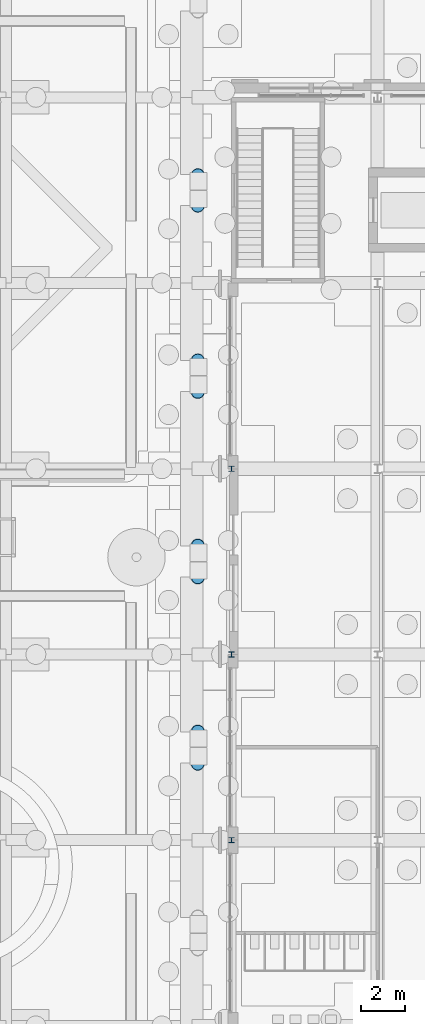
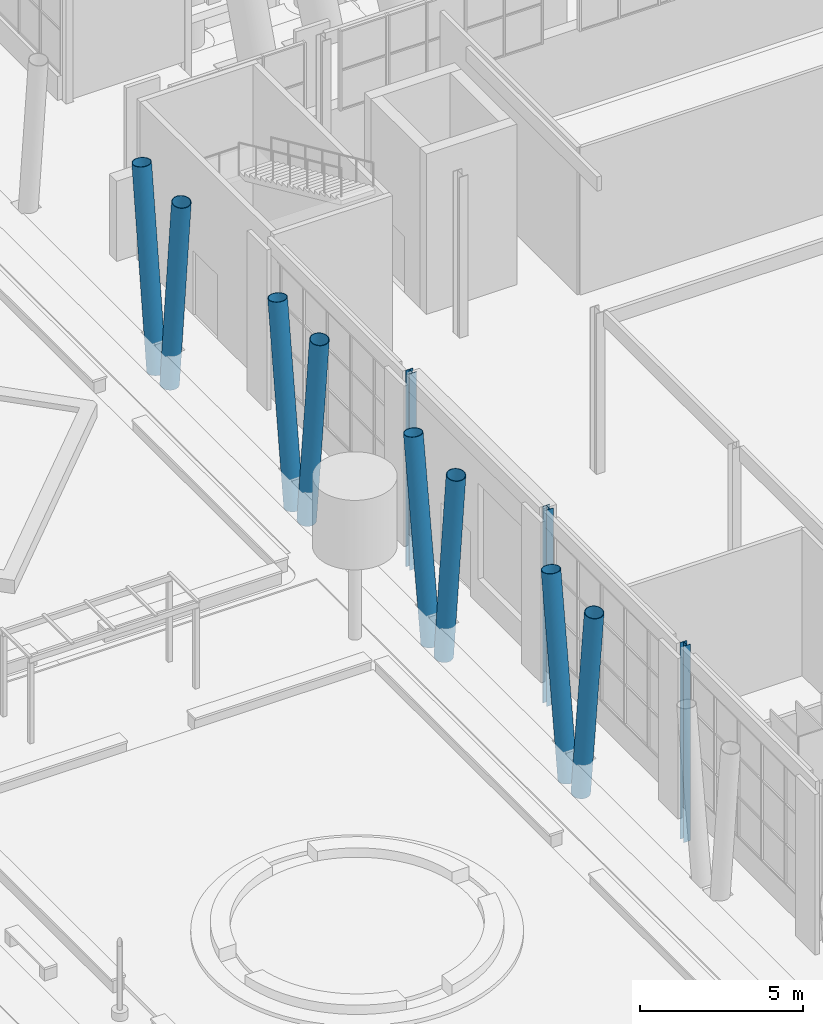
# One storey, part 17 of 222: 11 columns.
"""IFC4 building model written with IfcOpenShell, lengths in metres."""

import ifcopenshell
import ifcopenshell.guid

model = None  # the IFC model being written
_history = None  # IfcOwnerHistory: only IFC2X3 demands one
_inside = {}  # id of a spatial element -> (the spatial element, [elements in it])
_under = {}  # id of a project, library or spatial element -> (it, [spatial elements below it])
_declared = {}  # id of a project -> (the project, [libraries it declares])
_typed = {}  # id of a type object -> (the type object, [elements of that type])
_made_of = {}  # id of a material, layer set ... -> (it, [elements and type objects made of it])


def new_model(schema):
    """Start an empty IFC model of exactly this schema.

    Asked for "IFC4X3", IfcOpenShell would pick the latest addendum, in which some entities
    have other attributes; the version numbers below select the first issue.
    IFC2X3 requires an IfcOwnerHistory on every rooted entity: one is made here for all.
    """
    global model, _history
    if schema == "IFC4X3":
        model = ifcopenshell.file(schema_version=(4, 3, 0, 0))
    else:
        model = ifcopenshell.file(schema=schema)
    _inside.clear()
    _under.clear()
    _declared.clear()
    _typed.clear()
    _made_of.clear()
    _history = None
    if model.schema == "IFC2X3":
        org = make("IfcOrganization", Name="unknown")
        user = make(
            "IfcPersonAndOrganization",
            ThePerson=make("IfcPerson", FamilyName="unknown"),
            TheOrganization=org,
        )
        app = make(
            "IfcApplication",
            ApplicationDeveloper=org,
            Version="unknown",
            ApplicationFullName="unknown",
            ApplicationIdentifier="unknown",
        )
        _history = make(
            "IfcOwnerHistory",
            OwningUser=user,
            OwningApplication=app,
            ChangeAction="ADDED",
            CreationDate=0,
        )
    return model


def make(cls, **values):
    """One entity of the class cls with the attributes given. An attribute that is None is left unset."""
    return model.create_entity(
        cls, **{name: value for name, value in values.items() if value is not None}
    )


def rooted(cls, **values):
    """An entity with a GlobalId (a new one), such as an element, a storey or a relation."""
    return make(cls, GlobalId=ifcopenshell.guid.new(), OwnerHistory=_history, **values)


def si_unit(unit_type, name, prefix=None):
    """IfcSIUnit, for example si_unit("LENGTHUNIT", "METRE", prefix="MILLI")."""
    return make("IfcSIUnit", UnitType=unit_type, Prefix=prefix, Name=name)


def assignment(units):
    """IfcUnitAssignment: the units of a project."""
    return None if units is None else make("IfcUnitAssignment", Units=units)


def point(xyz):
    """IfcCartesianPoint."""
    return None if xyz is None else make("IfcCartesianPoint", Coordinates=xyz)


def direction(xyz):
    """IfcDirection."""
    return None if xyz is None else make("IfcDirection", DirectionRatios=xyz)


def frame(location, z_axis=None, x_axis=None):
    """IfcAxis2Placement3D, a coordinate frame: its origin and axes. An axis left out is left unset."""
    return make(
        "IfcAxis2Placement3D",
        Location=point(location),
        Axis=direction(z_axis),
        RefDirection=direction(x_axis),
    )


def frame_2d(location, x_axis=None):
    """IfcAxis2Placement2D, a coordinate frame in the plane: its origin and x axis."""
    return make(
        "IfcAxis2Placement2D", Location=point(location), RefDirection=direction(x_axis)
    )


def origin():
    """The frame at (0, 0, 0) with its axes left unset."""
    return frame((0.0, 0.0, 0.0))


def origin_2d():
    """The frame at (0, 0) in the plane with its x axis left unset."""
    return frame_2d((0.0, 0.0))


def place(relative_to, where):
    """IfcLocalPlacement: puts the frame where relative to a parent placement (None: the world)."""
    return make(
        "IfcLocalPlacement", PlacementRelTo=relative_to, RelativePlacement=where
    )


def context(
    kind, dimensions, precision=None, world=None, true_north=None, identifier=None
):
    """IfcGeometricRepresentationContext, for example the 3D "Model" context."""
    return make(
        "IfcGeometricRepresentationContext",
        ContextIdentifier=identifier,
        ContextType=kind,
        CoordinateSpaceDimension=dimensions,
        Precision=precision,
        WorldCoordinateSystem=world,
        TrueNorth=true_north,
    )


def subcontext(parent, identifier, kind, view, scale=None):
    """IfcGeometricRepresentationSubContext, for example "Body" below "Model"."""
    return make(
        "IfcGeometricRepresentationSubContext",
        ContextIdentifier=identifier,
        ContextType=kind,
        ParentContext=parent,
        TargetScale=scale,
        TargetView=view,
    )


def project(units=None, contexts=None):
    """IfcProject with its units and contexts."""
    return rooted(
        "IfcProject",
        Name="project",
        RepresentationContexts=contexts,
        UnitsInContext=assignment(units),
    )


def spatial(cls, under=None, at=None, **own):
    """A site, building, storey or space (cls), placed at a placement, below another one or the project."""
    s = rooted(cls, ObjectPlacement=at, **own)
    if under is not None:
        _under.setdefault(under.id(), (under, []))[1].append(s)
    return s


def profile(cls, at=None, kind="AREA", **sizes):
    """A parametric profile (cls). Its sizes go by their IFC names, for example OverallWidth=200.0."""
    return make(cls, ProfileType=kind, Position=at, **sizes)


def hollow_circle(**sizes):
    """IfcCircleHollowProfileDef."""
    return profile("IfcCircleHollowProfileDef", **sizes)


def i_section(**sizes):
    """IfcIShapeProfileDef."""
    return profile("IfcIShapeProfileDef", **sizes)


def extrude(swept, where, along, depth):
    """IfcExtrudedAreaSolid: the profile swept, set in the frame where, extruded along a direction by depth."""
    return make(
        "IfcExtrudedAreaSolid",
        SweptArea=swept,
        Position=where,
        ExtrudedDirection=direction(along),
        Depth=depth,
    )


def shape(context_of_items, identifier, shape_type, items):
    """IfcShapeRepresentation: the items that make up one representation, for example the "Body"."""
    return make(
        "IfcShapeRepresentation",
        ContextOfItems=context_of_items,
        RepresentationIdentifier=identifier,
        RepresentationType=shape_type,
        Items=items,
    )


def material(Name=None, Category=None):
    """IfcMaterial."""
    return make("IfcMaterial", Name=Name, Category=Category)


def material_profile(
    of_material, cross_section, Name=None, Category=None, Priority=None
):
    """IfcMaterialProfile: a cross section and its material."""
    return make(
        "IfcMaterialProfile",
        Name=Name,
        Material=of_material,
        Profile=cross_section,
        Priority=Priority,
        Category=Category,
    )


def profile_set(profiles, Name=None, composite=None):
    """IfcMaterialProfileSet."""
    return make(
        "IfcMaterialProfileSet",
        Name=Name,
        MaterialProfiles=profiles,
        CompositeProfile=composite,
    )


def made_of(thing, what):
    """Note that an element or type object is made of a material, layer set ...; save() writes the relation."""
    if what is not None:
        _made_of.setdefault(what.id(), (what, []))[1].append(thing)
    return thing


def type_object(cls, material=None, **own):
    """A type object (cls), such as IfcWallType, which elements share."""
    return made_of(rooted(cls, **own), material)


def element(
    cls,
    number,
    at=None,
    inside=None,
    cuts=None,
    type_object=None,
    material=None,
    context=None,
    identifier="Body",
    shape_type=None,
    held_by="IfcProductDefinitionShape",
    body=None,
    shapes=None,
    **own,
):
    """One element of the class cls, such as IfcWall. Its Tag is "e" and its number.

    at: its placement. inside: the storey or other place that contains it. cuts: it is an
    opening in that element (IfcRelVoidsElement). A single representation is given by context,
    identifier, shape_type and body (its items); several are given by shapes. held_by: the class
    of the entity that holds the representations. save() writes the other relations.
    """
    e = rooted(cls, Tag="e%d" % number, ObjectPlacement=at, **own)
    if body is not None:
        shapes = [shape(context, identifier, shape_type, body)]
    if shapes is not None:
        e.Representation = make(held_by, Representations=shapes)
    if inside is not None:
        _inside.setdefault(inside.id(), (inside, []))[1].append(e)
    if cuts is not None:
        rooted(
            "IfcRelVoidsElement", RelatingBuildingElement=cuts, RelatedOpeningElement=e
        )
    if type_object is not None:
        _typed.setdefault(type_object.id(), (type_object, []))[1].append(e)
    return made_of(e, material)


def aggregate(whole, parts):
    """IfcRelAggregates: a whole, such as a stair, and the parts it consists of."""
    return rooted("IfcRelAggregates", RelatingObject=whole, RelatedObjects=parts)


def save(model, path):
    """Write the relations noted so far, then the file.

    IfcRelAggregates (storeys below a building ...), IfcRelContainedInSpatialStructure (elements
    in a storey), IfcRelDefinesByType, IfcRelAssociatesMaterial and IfcRelDeclares: one each for
    every whole, place, type object, material and project.
    """
    for whole, parts in _under.values():
        aggregate(whole, parts)
    for where, things in _inside.values():
        rooted(
            "IfcRelContainedInSpatialStructure",
            RelatedElements=things,
            RelatingStructure=where,
        )
    for kind, things in _typed.values():
        rooted("IfcRelDefinesByType", RelatedObjects=things, RelatingType=kind)
    for what, things in _made_of.values():
        rooted("IfcRelAssociatesMaterial", RelatedObjects=things, RelatingMaterial=what)
    for by, libraries in _declared.values():
        rooted("IfcRelDeclares", RelatingContext=by, RelatedDefinitions=libraries)
    model.write(path)


model = new_model("IFC4")

# Units and contexts
model_context = context("Model", 3, precision=1e-05, world=origin(), true_north=direction((0.0, 1.0)))
body_context = subcontext(model_context, "Body", "Model", "MODEL_VIEW")
ifc_project = project(units=[si_unit("LENGTHUNIT", "METRE"), si_unit("AREAUNIT", "SQUARE_METRE"), si_unit("VOLUMEUNIT", "CUBIC_METRE"), si_unit("PLANEANGLEUNIT", "RADIAN"), si_unit("MASSUNIT", "GRAM", prefix="KILO")], contexts=[model_context])

# Site, building, storey
site_placement = place(None, origin())
site = spatial("IfcSite", under=ifc_project, at=site_placement, CompositionType="ELEMENT")
building_placement = place(site_placement, origin())
building = spatial("IfcBuilding", under=site, at=building_placement, Name="Sava Quay Ferry Terminal", CompositionType="ELEMENT")
storey_placement = place(building_placement, origin())
storey = spatial("IfcBuildingStorey", under=building, at=storey_placement, Name="L00", CompositionType="ELEMENT", Elevation=0.0)

# Columns
ifc_material_1 = material(Name="Steel S355", Category="steel")
ifc_material_profile_1 = material_profile(ifc_material_1, i_section(OverallWidth=0.239990234375, OverallDepth=0.239990234375, WebThickness=0.010009765625, FlangeThickness=0.01708984375, at=origin_2d()), Name="HE 240 B")
ifc_profile_set_1 = profile_set([ifc_material_profile_1], Name="Steel S355")
column_type_1 = type_object("IfcColumnType", Name="Column HE 240 B", PredefinedType="COLUMN", material=ifc_profile_set_1)
for number, where, z_axis, x_axis, name in (
    (1, (43.800048828125, 67.199951171875, -1.35009765625), (0.0, 0.0, 1.0), (1.0, 0.0, 0.0), "Column L00 43.8/67.2"),
    (2, (43.800048828125, 75.60009765625, -1.35009765625), (0.0, 0.0, 1.0), (1.0, 0.0, 0.0), "Column L00 43.8/75.6"),
    (3, (43.800048828125, 84.0, -1.35009765625), (0.0, 0.0, 1.0), (1.0, 0.0, 0.0), "Column L00 43.8/84"),
):
    element("IfcColumn", number, at=place(storey_placement, frame(where, z_axis=z_axis, x_axis=x_axis)), inside=storey, type_object=column_type_1, Name=name, PredefinedType="COLUMN", context=body_context, shape_type="SweptSolid", body=[
        extrude(i_section(OverallWidth=0.239990234375, OverallDepth=0.239990234375, WebThickness=0.010009765625, FlangeThickness=0.01708984375, at=origin_2d()), origin(), (0.0, 0.0, 1.0), 7.35009765625),
    ])
ifc_material_2 = material(Name="Steel S355", Category="steel")
ifc_material_profile_2 = material_profile(ifc_material_2, hollow_circle(Radius=0.304931640625, WallThickness=0.02001953125, at=origin_2d()), Name="CHS 610 x 20.0")
ifc_profile_set_2 = profile_set([ifc_material_profile_2], Name="Steel S355")
column_type_2 = type_object("IfcColumnType", Name="V column CHS 610x20", PredefinedType="COLUMN", material=ifc_profile_set_2)
column_1_placement = place(storey_placement, frame((42.300048828125, 71.0, -1.35009765625), z_axis=(-0.011425828464, -0.131018361553, 0.991314097237), x_axis=(0.996218949359, -0.086878103902, 0.0)))
element("IfcColumn", 4, at=column_1_placement, inside=storey, type_object=column_type_2, Name="Departure hall V column D-VL2b part 1", PredefinedType="COLUMN", context=body_context, shape_type="SweptSolid", body=[
    extrude(hollow_circle(Radius=0.304931640625, WallThickness=0.02001953125, at=origin_2d()), origin(), (0.0, 0.0, 1.0), 7.41455078125),
])
for number, where, z_axis, x_axis, name in (
    (5, (42.300048828125, 71.800048828125, -1.35009765625), (-0.010485360194, 0.120317859589, 0.992680044065), (-0.996224179343, -0.086818111546, 0.0), "Departure hall V column D-VL3a part 1"),
    (6, (42.300048828125, 79.39990234375, -1.35009765625), (-0.010485360194, -0.120317859589, 0.992680044065), (0.996224179343, -0.086818111546, 0.0), "Departure hall V column D-VL3b part 1"),
):
    element("IfcColumn", number, at=place(storey_placement, frame(where, z_axis=z_axis, x_axis=x_axis)), inside=storey, type_object=column_type_2, Name=name, PredefinedType="COLUMN", context=body_context, shape_type="SweptSolid", body=[
        extrude(hollow_circle(Radius=0.304931640625, WallThickness=0.02001953125, at=origin_2d()), origin(), (0.0, 0.0, 1.0), 7.404296875),
    ])
for number, where, z_axis, x_axis, name in (
    (7, (42.300048828125, 80.199951171875, -1.35009765625), (-0.010874878836, 0.124830427365, 0.99211849162), (-0.99622675963, -0.086788498067, 0.0), "Departure hall V column D-VL4a part 1"),
    (8, (42.300048828125, 87.800048828125, -1.35009765625), (-0.010874878836, -0.124830427365, 0.99211849162), (0.99622675963, -0.086788498067, 0.0), "Departure hall V column D-VL4b part 1"),
):
    element("IfcColumn", number, at=place(storey_placement, frame(where, z_axis=z_axis, x_axis=x_axis)), inside=storey, type_object=column_type_2, Name=name, PredefinedType="COLUMN", context=body_context, shape_type="SweptSolid", body=[
        extrude(hollow_circle(Radius=0.304931640625, WallThickness=0.02001953125, at=origin_2d()), origin(), (0.0, 0.0, 1.0), 7.408447265625),
    ])
for number, where, z_axis, x_axis, name in (
    (9, (42.300048828125, 88.60009765625, -1.35009765625), (-0.010062815945, 0.115276980035, 0.993282415836), (-0.996211646288, -0.086961806559, 0.0), "Departure hall V column D-VL5a part 1"),
    (10, (42.300048828125, 96.199951171875, -1.35009765625), (-0.010062777667, -0.115309534254, 0.993278637551), (0.996213801554, -0.086937112868, 0.0), "Departure hall V column D-VL5b part 1"),
):
    element("IfcColumn", number, at=place(storey_placement, frame(where, z_axis=z_axis, x_axis=x_axis)), inside=storey, type_object=column_type_2, Name=name, PredefinedType="COLUMN", context=body_context, shape_type="SweptSolid", body=[
        extrude(hollow_circle(Radius=0.304931640625, WallThickness=0.02001953125, at=origin_2d()), origin(), (0.0, 0.0, 1.0), 7.39990234375),
    ])
column_2_placement = place(storey_placement, frame((42.300048828125, 97.0, -1.35009765625), z_axis=(-0.009345611445, 0.107127786312, 0.994201336223), x_axis=(-0.996216350468, -0.086907899871, 0.0)))
element("IfcColumn", 11, at=column_2_placement, inside=storey, type_object=column_type_2, Name="Departure hall V column D-VL6a part 1", PredefinedType="COLUMN", context=body_context, shape_type="SweptSolid", body=[
    extrude(hollow_circle(Radius=0.304931640625, WallThickness=0.02001953125, at=origin_2d()), origin(), (0.0, 0.0, 1.0), 7.39306640625),
])

save(model, "model.ifc")
